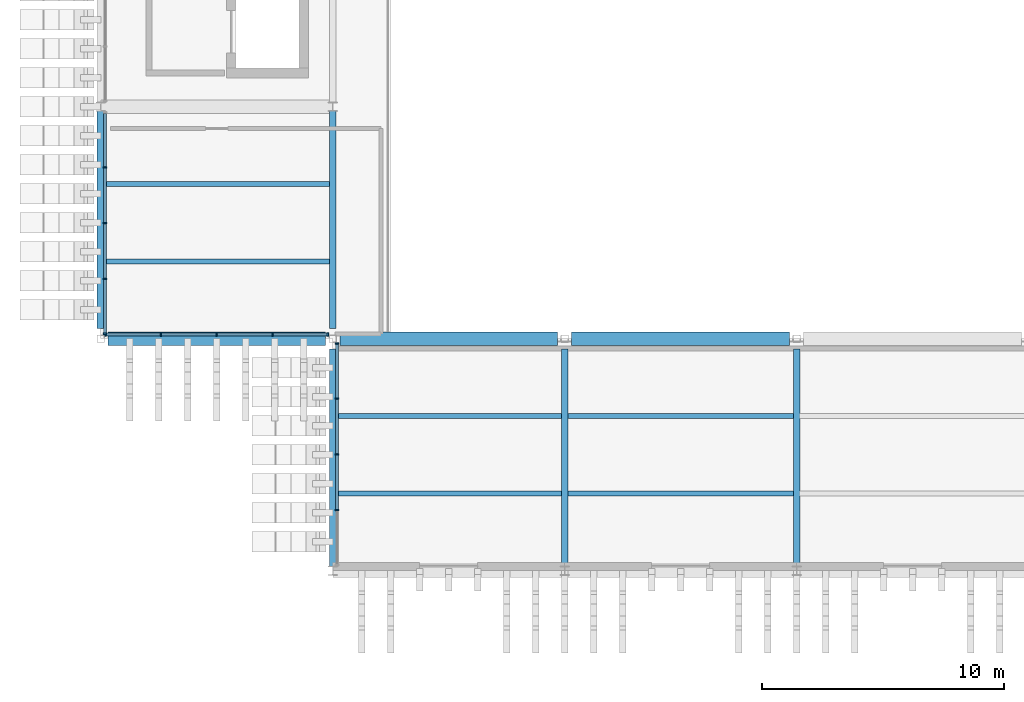
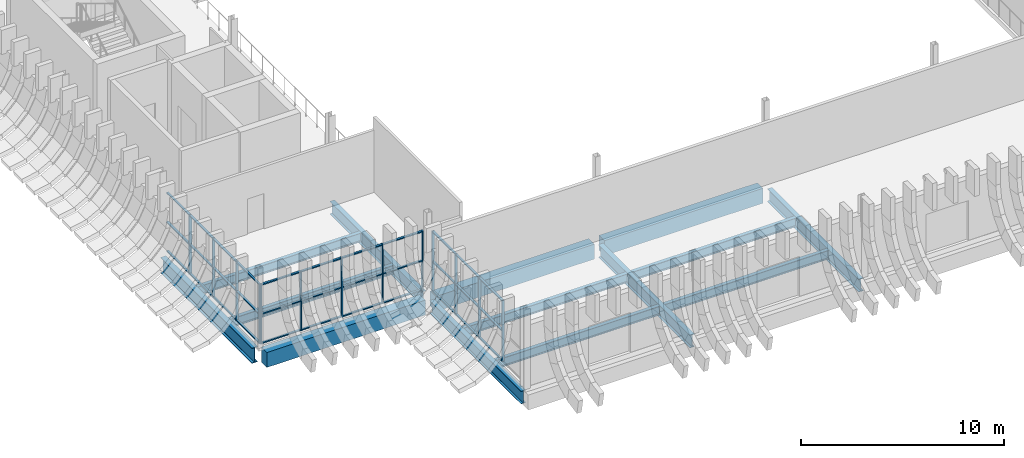
# One storey, part 15 of 100: 46 members, 14 beams, 3 elements without a shape of their own.
"""IFC4 building model written with IfcOpenShell, lengths in metres."""

from ifc_helpers import new_model, si_unit, direction, frame, origin, origin_2d, place, context, subcontext, project, spatial, rectangle, i_section, extrude, material, layer, layer_set, material_profile, profile_set, type_object, element, aggregate, save


model = new_model("IFC4")

# Units and contexts
model_context = context("Model", 3, precision=1e-05, world=origin(), true_north=direction((0.0, 1.0)))
body_context = subcontext(model_context, "Body", "Model", "MODEL_VIEW")
ifc_project = project(units=[si_unit("LENGTHUNIT", "METRE"), si_unit("AREAUNIT", "SQUARE_METRE"), si_unit("VOLUMEUNIT", "CUBIC_METRE"), si_unit("PLANEANGLEUNIT", "RADIAN"), si_unit("MASSUNIT", "GRAM", prefix="KILO")], contexts=[model_context])

# Site, building, storey
site_placement = place(None, origin())
site = spatial("IfcSite", under=ifc_project, at=site_placement, CompositionType="ELEMENT")
building_placement = place(site_placement, origin())
building = spatial("IfcBuilding", under=site, at=building_placement, Name="Caelomonte Colonnade Arena", CompositionType="ELEMENT")
storey_placement = place(building_placement, origin())
storey = spatial("IfcBuildingStorey", under=building, at=storey_placement, Name="L00", CompositionType="ELEMENT", Elevation=0.0)

# Curtain wall, members
ifc_material_1 = material(Name="Bronze anodised aluminium and low-E glazing", Category="aluminium")
ifc_layer_1 = layer(ifc_material_1, 0.179931640625)
ifc_layer_set_1 = layer_set([ifc_layer_1], Name="Bronze anodised aluminium and low-E glazing")
curtain_wall_type_1 = type_object("IfcCurtainWallType", Name="ENV-CW-CW-L00-96-36", PredefinedType="USERDEFINED", material=ifc_layer_set_1)
curtain_wall_1_placement = place(storey_placement, origin())
curtain_wall_1 = element("IfcCurtainWall", 1, at=curtain_wall_1_placement, inside=storey, type_object=curtain_wall_type_1, Name="L00 unitized curtain wall CW-L00-0002-0432", ObjectType="UNITIZED CURTAIN WALL", PredefinedType="USERDEFINED")
ifc_material_2 = material(Name="Bronze anodised aluminium AA6063-T6", Category="aluminium")
ifc_material_profile_1 = material_profile(ifc_material_2, rectangle(XDim=0.06494140625, YDim=0.14990234375, at=origin_2d()), Name="CWM-65X150")
ifc_profile_set_1 = profile_set([ifc_material_profile_1], Name="Bronze anodised aluminium AA6063-T6")
member_type_1 = type_object("IfcMemberType", Name="ENV-CW-MULL2", PredefinedType="MULLION", material=ifc_profile_set_1)
member_1_placement = place(storey_placement, frame((0.179931640625, 45.48974609375, 0.0), z_axis=(0.0, 0.0, 1.0), x_axis=(0.0, -1.0, 0.0)))
member_1 = element("IfcMember", 2, at=member_1_placement, type_object=member_type_1, Name="CW-L00-96-36 mullion 2", PredefinedType="MULLION", context=body_context, shape_type="SweptSolid", body=[
    extrude(rectangle(XDim=0.06494140625, YDim=0.14990234375, at=origin_2d()), origin(), (0.0, 0.0, 1.0), 3.572998046875),
])
member_2_placement = place(storey_placement, frame((0.179931640625, 43.18408203125, 0.0), z_axis=(0.0, 0.0, 1.0), x_axis=(0.0, -1.0, 0.0)))
member_2 = element("IfcMember", 3, at=member_2_placement, type_object=member_type_1, Name="CW-L00-96-36 mullion 3", PredefinedType="MULLION", context=body_context, shape_type="SweptSolid", body=[
    extrude(rectangle(XDim=0.06494140625, YDim=0.14990234375, at=origin_2d()), origin(), (0.0, 0.0, 1.0), 3.572998046875),
])
member_3_placement = place(storey_placement, frame((0.179931640625, 40.878173828125, 0.0), z_axis=(0.0, 0.0, 1.0), x_axis=(0.0, -1.0, 0.0)))
member_3 = element("IfcMember", 4, at=member_3_placement, type_object=member_type_1, Name="CW-L00-96-36 mullion 4", PredefinedType="MULLION", context=body_context, shape_type="SweptSolid", body=[
    extrude(rectangle(XDim=0.06494140625, YDim=0.14990234375, at=origin_2d()), origin(), (0.0, 0.0, 1.0), 3.572998046875),
])
member_4_placement = place(storey_placement, frame((0.179931640625, 38.60498046875, 0.0), z_axis=(0.0, 0.0, 1.0), x_axis=(0.0, -1.0, 0.0)))
member_4 = element("IfcMember", 5, at=member_4_placement, type_object=member_type_1, Name="CW-L00-96-36 mullion 5", PredefinedType="MULLION", context=body_context, shape_type="SweptSolid", body=[
    extrude(rectangle(XDim=0.06494140625, YDim=0.14990234375, at=origin_2d()), origin(), (0.0, 0.0, 1.0), 3.572998046875),
])

curtain_wall_2_placement = place(storey_placement, origin())
curtain_wall_2 = element("IfcCurtainWall", 6, at=curtain_wall_2_placement, inside=storey, type_object=curtain_wall_type_1, Name="L00 unitized curtain wall CW-L00-0048-0386", ObjectType="UNITIZED CURTAIN WALL", PredefinedType="USERDEFINED")
member_5_placement = place(storey_placement, frame((0.204833984375, 38.580078125, 0.0), z_axis=(0.0, 0.0, 1.0), x_axis=(1.0, 0.0, 0.0)))
member_5 = element("IfcMember", 7, at=member_5_placement, type_object=member_type_1, Name="CW-L00-96-36 mullion 1", PredefinedType="MULLION", context=body_context, shape_type="SweptSolid", body=[
    extrude(rectangle(XDim=0.06494140625, YDim=0.14990234375, at=origin_2d()), origin(), (0.0, 0.0, 1.0), 3.572998046875),
])
member_6_placement = place(storey_placement, frame((2.486083984375, 38.580078125, 0.0), z_axis=(0.0, 0.0, 1.0), x_axis=(1.0, 0.0, 0.0)))
member_6 = element("IfcMember", 8, at=member_6_placement, type_object=member_type_1, Name="CW-L00-96-36 mullion 2", PredefinedType="MULLION", context=body_context, shape_type="SweptSolid", body=[
    extrude(rectangle(XDim=0.06494140625, YDim=0.14990234375, at=origin_2d()), origin(), (0.0, 0.0, 1.0), 3.572998046875),
])
member_7_placement = place(storey_placement, frame((4.800048828125, 38.580078125, 0.0), z_axis=(0.0, 0.0, 1.0), x_axis=(1.0, 0.0, 0.0)))
member_7 = element("IfcMember", 9, at=member_7_placement, type_object=member_type_1, Name="CW-L00-96-36 mullion 3", PredefinedType="MULLION", context=body_context, shape_type="SweptSolid", body=[
    extrude(rectangle(XDim=0.06494140625, YDim=0.14990234375, at=origin_2d()), origin(), (0.0, 0.0, 1.0), 3.572998046875),
])
member_8_placement = place(storey_placement, frame((7.11376953125, 38.580078125, 0.0), z_axis=(0.0, 0.0, 1.0), x_axis=(1.0, 0.0, 0.0)))
member_8 = element("IfcMember", 10, at=member_8_placement, type_object=member_type_1, Name="CW-L00-96-36 mullion 4", PredefinedType="MULLION", context=body_context, shape_type="SweptSolid", body=[
    extrude(rectangle(XDim=0.06494140625, YDim=0.14990234375, at=origin_2d()), origin(), (0.0, 0.0, 1.0), 3.572998046875),
])
member_9_placement = place(storey_placement, frame((9.39501953125, 38.580078125, 0.0), z_axis=(0.0, 0.0, 1.0), x_axis=(1.0, 0.0, 0.0)))
member_9 = element("IfcMember", 11, at=member_9_placement, type_object=member_type_1, Name="CW-L00-96-36 mullion 5", PredefinedType="MULLION", context=body_context, shape_type="SweptSolid", body=[
    extrude(rectangle(XDim=0.06494140625, YDim=0.14990234375, at=origin_2d()), origin(), (0.0, 0.0, 1.0), 3.572998046875),
])

ifc_layer_2 = layer(ifc_material_1, 0.179931640625)
ifc_layer_set_2 = layer_set([ifc_layer_2], Name="Bronze anodised aluminium and low-E glazing")
curtain_wall_type_2 = type_object("IfcCurtainWallType", Name="ENV-CW-CW-L00-96-37", PredefinedType="USERDEFINED", material=ifc_layer_set_2)
curtain_wall_3_placement = place(storey_placement, origin())
curtain_wall_3 = element("IfcCurtainWall", 12, at=curtain_wall_3_placement, inside=storey, type_object=curtain_wall_type_2, Name="L00 unitized curtain wall CW-L00-0098-0336", ObjectType="UNITIZED CURTAIN WALL", PredefinedType="USERDEFINED")
member_10_placement = place(storey_placement, frame((9.780029296875, 38.195068359375, 0.0), z_axis=(0.0, 0.0, 1.0), x_axis=(0.0, -1.0, 0.0)))
member_10 = element("IfcMember", 13, at=member_10_placement, type_object=member_type_1, Name="CW-L00-96-37 mullion 1", PredefinedType="MULLION", context=body_context, shape_type="SweptSolid", body=[
    extrude(rectangle(XDim=0.06494140625, YDim=0.14990234375, at=origin_2d()), origin(), (0.0, 0.0, 1.0), 3.664306640625),
])
member_11_placement = place(storey_placement, frame((9.780029296875, 35.921875, 0.0), z_axis=(0.0, 0.0, 1.0), x_axis=(0.0, -1.0, 0.0)))
member_11 = element("IfcMember", 14, at=member_11_placement, type_object=member_type_1, Name="CW-L00-96-37 mullion 2", PredefinedType="MULLION", context=body_context, shape_type="SweptSolid", body=[
    extrude(rectangle(XDim=0.06494140625, YDim=0.14990234375, at=origin_2d()), origin(), (0.0, 0.0, 1.0), 3.664306640625),
])
member_12_placement = place(storey_placement, frame((9.780029296875, 33.615966796875, 0.0), z_axis=(0.0, 0.0, 1.0), x_axis=(0.0, -1.0, 0.0)))
member_12 = element("IfcMember", 15, at=member_12_placement, type_object=member_type_1, Name="CW-L00-96-37 mullion 3", PredefinedType="MULLION", context=body_context, shape_type="SweptSolid", body=[
    extrude(rectangle(XDim=0.06494140625, YDim=0.14990234375, at=origin_2d()), origin(), (0.0, 0.0, 1.0), 3.664306640625),
])
member_13_placement = place(storey_placement, frame((9.780029296875, 31.310302734375, 0.0), z_axis=(0.0, 0.0, 1.0), x_axis=(0.0, -1.0, 0.0)))
member_13 = element("IfcMember", 16, at=member_13_placement, type_object=member_type_1, Name="CW-L00-96-37 mullion 4", PredefinedType="MULLION", context=body_context, shape_type="SweptSolid", body=[
    extrude(rectangle(XDim=0.06494140625, YDim=0.14990234375, at=origin_2d()), origin(), (0.0, 0.0, 1.0), 3.664306640625),
])

# Member
ifc_material_profile_2 = material_profile(ifc_material_2, rectangle(XDim=0.06494140625, YDim=0.1201171875, at=origin_2d()), Name="CWT-65X120")
ifc_profile_set_2 = profile_set([ifc_material_profile_2], Name="Bronze anodised aluminium AA6063-T6")
member_type_2 = type_object("IfcMemberType", Name="ENV-CW-TRAN2", PredefinedType="USERDEFINED", material=ifc_profile_set_2)
member_14_placement = place(storey_placement, frame((0.179931640625, 47.730712890625, 0.032470703125), z_axis=(0.0, -1.0, 0.0), x_axis=(0.0, 0.0, 1.0)))
member_14 = element("IfcMember", 17, at=member_14_placement, type_object=member_type_2, Name="CW-L00-96-36 transom 1.1", ObjectType="TRANSOM", PredefinedType="USERDEFINED", context=body_context, shape_type="SweptSolid", body=[
    extrude(rectangle(XDim=0.06494140625, YDim=0.1201171875, at=origin_2d()), origin(), (0.0, 0.0, 1.0), 2.20849609375),
])

member_15_placement = place(storey_placement, frame((0.179931640625, 47.730712890625, 1.78662109375), z_axis=(0.0, -1.0, 0.0), x_axis=(0.0, 0.0, 1.0)))
member_15 = element("IfcMember", 18, at=member_15_placement, type_object=member_type_2, Name="CW-L00-96-36 transom 1.2", ObjectType="TRANSOM", PredefinedType="USERDEFINED", context=body_context, shape_type="SweptSolid", body=[
    extrude(rectangle(XDim=0.06494140625, YDim=0.1201171875, at=origin_2d()), origin(), (0.0, 0.0, 1.0), 2.20849609375),
])

member_16_placement = place(storey_placement, frame((0.179931640625, 47.730712890625, 3.54052734375), z_axis=(0.0, -1.0, 0.0), x_axis=(0.0, 0.0, 1.0)))
member_16 = element("IfcMember", 19, at=member_16_placement, type_object=member_type_2, Name="CW-L00-96-36 transom 1.3", ObjectType="TRANSOM", PredefinedType="USERDEFINED", context=body_context, shape_type="SweptSolid", body=[
    extrude(rectangle(XDim=0.06494140625, YDim=0.1201171875, at=origin_2d()), origin(), (0.0, 0.0, 1.0), 2.20849609375),
])

member_17_placement = place(storey_placement, frame((0.179931640625, 45.457275390625, 0.032470703125), z_axis=(0.0, -1.0, 0.0), x_axis=(0.0, 0.0, 1.0)))
member_17 = element("IfcMember", 20, at=member_17_placement, type_object=member_type_2, Name="CW-L00-96-36 transom 2.1", ObjectType="TRANSOM", PredefinedType="USERDEFINED", context=body_context, shape_type="SweptSolid", body=[
    extrude(rectangle(XDim=0.06494140625, YDim=0.1201171875, at=origin_2d()), origin(), (0.0, 0.0, 1.0), 2.24072265625),
])

member_18_placement = place(storey_placement, frame((0.179931640625, 45.457275390625, 1.78662109375), z_axis=(0.0, -1.0, 0.0), x_axis=(0.0, 0.0, 1.0)))
member_18 = element("IfcMember", 21, at=member_18_placement, type_object=member_type_2, Name="CW-L00-96-36 transom 2.2", ObjectType="TRANSOM", PredefinedType="USERDEFINED", context=body_context, shape_type="SweptSolid", body=[
    extrude(rectangle(XDim=0.06494140625, YDim=0.1201171875, at=origin_2d()), origin(), (0.0, 0.0, 1.0), 2.24072265625),
])

member_19_placement = place(storey_placement, frame((0.179931640625, 45.457275390625, 3.54052734375), z_axis=(0.0, -1.0, 0.0), x_axis=(0.0, 0.0, 1.0)))
member_19 = element("IfcMember", 22, at=member_19_placement, type_object=member_type_2, Name="CW-L00-96-36 transom 2.3", ObjectType="TRANSOM", PredefinedType="USERDEFINED", context=body_context, shape_type="SweptSolid", body=[
    extrude(rectangle(XDim=0.06494140625, YDim=0.1201171875, at=origin_2d()), origin(), (0.0, 0.0, 1.0), 2.24072265625),
])

member_20_placement = place(storey_placement, frame((0.179931640625, 43.151611328125, 0.032470703125), z_axis=(0.0, -1.0, 0.0), x_axis=(0.0, 0.0, 1.0)))
member_20 = element("IfcMember", 23, at=member_20_placement, type_object=member_type_2, Name="CW-L00-96-36 transom 3.1", ObjectType="TRANSOM", PredefinedType="USERDEFINED", context=body_context, shape_type="SweptSolid", body=[
    extrude(rectangle(XDim=0.06494140625, YDim=0.1201171875, at=origin_2d()), origin(), (0.0, 0.0, 1.0), 2.240966796875),
])

member_21_placement = place(storey_placement, frame((0.179931640625, 43.151611328125, 1.78662109375), z_axis=(0.0, -1.0, 0.0), x_axis=(0.0, 0.0, 1.0)))
member_21 = element("IfcMember", 24, at=member_21_placement, type_object=member_type_2, Name="CW-L00-96-36 transom 3.2", ObjectType="TRANSOM", PredefinedType="USERDEFINED", context=body_context, shape_type="SweptSolid", body=[
    extrude(rectangle(XDim=0.06494140625, YDim=0.1201171875, at=origin_2d()), origin(), (0.0, 0.0, 1.0), 2.240966796875),
])

member_22_placement = place(storey_placement, frame((0.179931640625, 43.151611328125, 3.54052734375), z_axis=(0.0, -1.0, 0.0), x_axis=(0.0, 0.0, 1.0)))
member_22 = element("IfcMember", 25, at=member_22_placement, type_object=member_type_2, Name="CW-L00-96-36 transom 3.3", ObjectType="TRANSOM", PredefinedType="USERDEFINED", context=body_context, shape_type="SweptSolid", body=[
    extrude(rectangle(XDim=0.06494140625, YDim=0.1201171875, at=origin_2d()), origin(), (0.0, 0.0, 1.0), 2.240966796875),
])

member_23_placement = place(storey_placement, frame((0.179931640625, 40.845703125, 0.032470703125), z_axis=(0.0, -1.0, 0.0), x_axis=(0.0, 0.0, 1.0)))
member_23 = element("IfcMember", 26, at=member_23_placement, type_object=member_type_2, Name="CW-L00-96-36 transom 4.1", ObjectType="TRANSOM", PredefinedType="USERDEFINED", context=body_context, shape_type="SweptSolid", body=[
    extrude(rectangle(XDim=0.06494140625, YDim=0.1201171875, at=origin_2d()), origin(), (0.0, 0.0, 1.0), 2.208251953125),
])

member_24_placement = place(storey_placement, frame((0.179931640625, 40.845703125, 1.78662109375), z_axis=(0.0, -1.0, 0.0), x_axis=(0.0, 0.0, 1.0)))
member_24 = element("IfcMember", 27, at=member_24_placement, type_object=member_type_2, Name="CW-L00-96-36 transom 4.2", ObjectType="TRANSOM", PredefinedType="USERDEFINED", context=body_context, shape_type="SweptSolid", body=[
    extrude(rectangle(XDim=0.06494140625, YDim=0.1201171875, at=origin_2d()), origin(), (0.0, 0.0, 1.0), 2.208251953125),
])

member_25_placement = place(storey_placement, frame((0.179931640625, 40.845703125, 3.54052734375), z_axis=(0.0, -1.0, 0.0), x_axis=(0.0, 0.0, 1.0)))
member_25 = element("IfcMember", 28, at=member_25_placement, type_object=member_type_2, Name="CW-L00-96-36 transom 4.3", ObjectType="TRANSOM", PredefinedType="USERDEFINED", context=body_context, shape_type="SweptSolid", body=[
    extrude(rectangle(XDim=0.06494140625, YDim=0.1201171875, at=origin_2d()), origin(), (0.0, 0.0, 1.0), 2.208251953125),
])

aggregate(curtain_wall_1, [member_1, member_2, member_3, member_4, member_14, member_15, member_16, member_17, member_18, member_19, member_20, member_21, member_22, member_23, member_24, member_25])

member_26_placement = place(storey_placement, frame((0.2373046875, 38.580078125, 0.032470703125), z_axis=(1.0, 0.0, 0.0), x_axis=(0.0, 0.0, 1.0)))
member_26 = element("IfcMember", 29, at=member_26_placement, type_object=member_type_2, Name="CW-L00-96-36 transom 1.1", ObjectType="TRANSOM", PredefinedType="USERDEFINED", context=body_context, shape_type="SweptSolid", body=[
    extrude(rectangle(XDim=0.06494140625, YDim=0.1201171875, at=origin_2d()), origin(), (0.0, 0.0, 1.0), 2.21630859375),
])

member_27_placement = place(storey_placement, frame((0.2373046875, 38.580078125, 1.78662109375), z_axis=(1.0, 0.0, 0.0), x_axis=(0.0, 0.0, 1.0)))
member_27 = element("IfcMember", 30, at=member_27_placement, type_object=member_type_2, Name="CW-L00-96-36 transom 1.2", ObjectType="TRANSOM", PredefinedType="USERDEFINED", context=body_context, shape_type="SweptSolid", body=[
    extrude(rectangle(XDim=0.06494140625, YDim=0.1201171875, at=origin_2d()), origin(), (0.0, 0.0, 1.0), 2.21630859375),
])

member_28_placement = place(storey_placement, frame((0.2373046875, 38.580078125, 3.54052734375), z_axis=(1.0, 0.0, 0.0), x_axis=(0.0, 0.0, 1.0)))
member_28 = element("IfcMember", 31, at=member_28_placement, type_object=member_type_2, Name="CW-L00-96-36 transom 1.3", ObjectType="TRANSOM", PredefinedType="USERDEFINED", context=body_context, shape_type="SweptSolid", body=[
    extrude(rectangle(XDim=0.06494140625, YDim=0.1201171875, at=origin_2d()), origin(), (0.0, 0.0, 1.0), 2.21630859375),
])

member_29_placement = place(storey_placement, frame((2.518798828125, 38.580078125, 0.032470703125), z_axis=(1.0, 0.0, 0.0), x_axis=(0.0, 0.0, 1.0)))
member_29 = element("IfcMember", 32, at=member_29_placement, type_object=member_type_2, Name="CW-L00-96-36 transom 2.1", ObjectType="TRANSOM", PredefinedType="USERDEFINED", context=body_context, shape_type="SweptSolid", body=[
    extrude(rectangle(XDim=0.06494140625, YDim=0.1201171875, at=origin_2d()), origin(), (0.0, 0.0, 1.0), 2.248779296875),
])

member_30_placement = place(storey_placement, frame((2.518798828125, 38.580078125, 1.78662109375), z_axis=(1.0, 0.0, 0.0), x_axis=(0.0, 0.0, 1.0)))
member_30 = element("IfcMember", 33, at=member_30_placement, type_object=member_type_2, Name="CW-L00-96-36 transom 2.2", ObjectType="TRANSOM", PredefinedType="USERDEFINED", context=body_context, shape_type="SweptSolid", body=[
    extrude(rectangle(XDim=0.06494140625, YDim=0.1201171875, at=origin_2d()), origin(), (0.0, 0.0, 1.0), 2.248779296875),
])

member_31_placement = place(storey_placement, frame((2.518798828125, 38.580078125, 3.54052734375), z_axis=(1.0, 0.0, 0.0), x_axis=(0.0, 0.0, 1.0)))
member_31 = element("IfcMember", 34, at=member_31_placement, type_object=member_type_2, Name="CW-L00-96-36 transom 2.3", ObjectType="TRANSOM", PredefinedType="USERDEFINED", context=body_context, shape_type="SweptSolid", body=[
    extrude(rectangle(XDim=0.06494140625, YDim=0.1201171875, at=origin_2d()), origin(), (0.0, 0.0, 1.0), 2.248779296875),
])

member_32_placement = place(storey_placement, frame((4.83251953125, 38.580078125, 0.032470703125), z_axis=(1.0, 0.0, 0.0), x_axis=(0.0, 0.0, 1.0)))
member_32 = element("IfcMember", 35, at=member_32_placement, type_object=member_type_2, Name="CW-L00-96-36 transom 3.1", ObjectType="TRANSOM", PredefinedType="USERDEFINED", context=body_context, shape_type="SweptSolid", body=[
    extrude(rectangle(XDim=0.06494140625, YDim=0.1201171875, at=origin_2d()), origin(), (0.0, 0.0, 1.0), 2.248779296875),
])

member_33_placement = place(storey_placement, frame((4.83251953125, 38.580078125, 1.78662109375), z_axis=(1.0, 0.0, 0.0), x_axis=(0.0, 0.0, 1.0)))
member_33 = element("IfcMember", 36, at=member_33_placement, type_object=member_type_2, Name="CW-L00-96-36 transom 3.2", ObjectType="TRANSOM", PredefinedType="USERDEFINED", context=body_context, shape_type="SweptSolid", body=[
    extrude(rectangle(XDim=0.06494140625, YDim=0.1201171875, at=origin_2d()), origin(), (0.0, 0.0, 1.0), 2.248779296875),
])

member_34_placement = place(storey_placement, frame((4.83251953125, 38.580078125, 3.54052734375), z_axis=(1.0, 0.0, 0.0), x_axis=(0.0, 0.0, 1.0)))
member_34 = element("IfcMember", 37, at=member_34_placement, type_object=member_type_2, Name="CW-L00-96-36 transom 3.3", ObjectType="TRANSOM", PredefinedType="USERDEFINED", context=body_context, shape_type="SweptSolid", body=[
    extrude(rectangle(XDim=0.06494140625, YDim=0.1201171875, at=origin_2d()), origin(), (0.0, 0.0, 1.0), 2.248779296875),
])

member_35_placement = place(storey_placement, frame((7.146240234375, 38.580078125, 0.032470703125), z_axis=(1.0, 0.0, 0.0), x_axis=(0.0, 0.0, 1.0)))
member_35 = element("IfcMember", 38, at=member_35_placement, type_object=member_type_2, Name="CW-L00-96-36 transom 4.1", ObjectType="TRANSOM", PredefinedType="USERDEFINED", context=body_context, shape_type="SweptSolid", body=[
    extrude(rectangle(XDim=0.06494140625, YDim=0.1201171875, at=origin_2d()), origin(), (0.0, 0.0, 1.0), 2.21630859375),
])

member_36_placement = place(storey_placement, frame((7.146240234375, 38.580078125, 1.78662109375), z_axis=(1.0, 0.0, 0.0), x_axis=(0.0, 0.0, 1.0)))
member_36 = element("IfcMember", 39, at=member_36_placement, type_object=member_type_2, Name="CW-L00-96-36 transom 4.2", ObjectType="TRANSOM", PredefinedType="USERDEFINED", context=body_context, shape_type="SweptSolid", body=[
    extrude(rectangle(XDim=0.06494140625, YDim=0.1201171875, at=origin_2d()), origin(), (0.0, 0.0, 1.0), 2.21630859375),
])

member_37_placement = place(storey_placement, frame((7.146240234375, 38.580078125, 3.54052734375), z_axis=(1.0, 0.0, 0.0), x_axis=(0.0, 0.0, 1.0)))
member_37 = element("IfcMember", 40, at=member_37_placement, type_object=member_type_2, Name="CW-L00-96-36 transom 4.3", ObjectType="TRANSOM", PredefinedType="USERDEFINED", context=body_context, shape_type="SweptSolid", body=[
    extrude(rectangle(XDim=0.06494140625, YDim=0.1201171875, at=origin_2d()), origin(), (0.0, 0.0, 1.0), 2.21630859375),
])

aggregate(curtain_wall_2, [member_5, member_6, member_7, member_8, member_9, member_26, member_27, member_28, member_29, member_30, member_31, member_32, member_33, member_34, member_35, member_36, member_37])

member_38_placement = place(storey_placement, frame((9.780029296875, 38.16259765625, 0.032470703125), z_axis=(0.0, -1.0, 0.0), x_axis=(0.0, 0.0, 1.0)))
member_38 = element("IfcMember", 41, at=member_38_placement, type_object=member_type_2, Name="CW-L00-96-37 transom 1.1", ObjectType="TRANSOM", PredefinedType="USERDEFINED", context=body_context, shape_type="SweptSolid", body=[
    extrude(rectangle(XDim=0.06494140625, YDim=0.1201171875, at=origin_2d()), origin(), (0.0, 0.0, 1.0), 2.208251953125),
])

member_39_placement = place(storey_placement, frame((9.780029296875, 38.16259765625, 1.832275390625), z_axis=(0.0, -1.0, 0.0), x_axis=(0.0, 0.0, 1.0)))
member_39 = element("IfcMember", 42, at=member_39_placement, type_object=member_type_2, Name="CW-L00-96-37 transom 1.2", ObjectType="TRANSOM", PredefinedType="USERDEFINED", context=body_context, shape_type="SweptSolid", body=[
    extrude(rectangle(XDim=0.06494140625, YDim=0.1201171875, at=origin_2d()), origin(), (0.0, 0.0, 1.0), 2.208251953125),
])

member_40_placement = place(storey_placement, frame((9.780029296875, 38.16259765625, 3.6318359375), z_axis=(0.0, -1.0, 0.0), x_axis=(0.0, 0.0, 1.0)))
member_40 = element("IfcMember", 43, at=member_40_placement, type_object=member_type_2, Name="CW-L00-96-37 transom 1.3", ObjectType="TRANSOM", PredefinedType="USERDEFINED", context=body_context, shape_type="SweptSolid", body=[
    extrude(rectangle(XDim=0.06494140625, YDim=0.1201171875, at=origin_2d()), origin(), (0.0, 0.0, 1.0), 2.208251953125),
])

member_41_placement = place(storey_placement, frame((9.780029296875, 35.889404296875, 0.032470703125), z_axis=(0.0, -1.0, 0.0), x_axis=(0.0, 0.0, 1.0)))
member_41 = element("IfcMember", 44, at=member_41_placement, type_object=member_type_2, Name="CW-L00-96-37 transom 2.1", ObjectType="TRANSOM", PredefinedType="USERDEFINED", context=body_context, shape_type="SweptSolid", body=[
    extrude(rectangle(XDim=0.06494140625, YDim=0.1201171875, at=origin_2d()), origin(), (0.0, 0.0, 1.0), 2.240966796875),
])

member_42_placement = place(storey_placement, frame((9.780029296875, 35.889404296875, 1.832275390625), z_axis=(0.0, -1.0, 0.0), x_axis=(0.0, 0.0, 1.0)))
member_42 = element("IfcMember", 45, at=member_42_placement, type_object=member_type_2, Name="CW-L00-96-37 transom 2.2", ObjectType="TRANSOM", PredefinedType="USERDEFINED", context=body_context, shape_type="SweptSolid", body=[
    extrude(rectangle(XDim=0.06494140625, YDim=0.1201171875, at=origin_2d()), origin(), (0.0, 0.0, 1.0), 2.240966796875),
])

member_43_placement = place(storey_placement, frame((9.780029296875, 35.889404296875, 3.6318359375), z_axis=(0.0, -1.0, 0.0), x_axis=(0.0, 0.0, 1.0)))
member_43 = element("IfcMember", 46, at=member_43_placement, type_object=member_type_2, Name="CW-L00-96-37 transom 2.3", ObjectType="TRANSOM", PredefinedType="USERDEFINED", context=body_context, shape_type="SweptSolid", body=[
    extrude(rectangle(XDim=0.06494140625, YDim=0.1201171875, at=origin_2d()), origin(), (0.0, 0.0, 1.0), 2.240966796875),
])

member_44_placement = place(storey_placement, frame((9.780029296875, 33.58349609375, 0.032470703125), z_axis=(0.0, -1.0, 0.0), x_axis=(0.0, 0.0, 1.0)))
member_44 = element("IfcMember", 47, at=member_44_placement, type_object=member_type_2, Name="CW-L00-96-37 transom 3.1", ObjectType="TRANSOM", PredefinedType="USERDEFINED", context=body_context, shape_type="SweptSolid", body=[
    extrude(rectangle(XDim=0.06494140625, YDim=0.1201171875, at=origin_2d()), origin(), (0.0, 0.0, 1.0), 2.24072265625),
])

member_45_placement = place(storey_placement, frame((9.780029296875, 33.58349609375, 1.832275390625), z_axis=(0.0, -1.0, 0.0), x_axis=(0.0, 0.0, 1.0)))
member_45 = element("IfcMember", 48, at=member_45_placement, type_object=member_type_2, Name="CW-L00-96-37 transom 3.2", ObjectType="TRANSOM", PredefinedType="USERDEFINED", context=body_context, shape_type="SweptSolid", body=[
    extrude(rectangle(XDim=0.06494140625, YDim=0.1201171875, at=origin_2d()), origin(), (0.0, 0.0, 1.0), 2.24072265625),
])

member_46_placement = place(storey_placement, frame((9.780029296875, 33.58349609375, 3.6318359375), z_axis=(0.0, -1.0, 0.0), x_axis=(0.0, 0.0, 1.0)))
member_46 = element("IfcMember", 49, at=member_46_placement, type_object=member_type_2, Name="CW-L00-96-37 transom 3.3", ObjectType="TRANSOM", PredefinedType="USERDEFINED", context=body_context, shape_type="SweptSolid", body=[
    extrude(rectangle(XDim=0.06494140625, YDim=0.1201171875, at=origin_2d()), origin(), (0.0, 0.0, 1.0), 2.24072265625),
])

aggregate(curtain_wall_3, [member_10, member_11, member_12, member_13, member_38, member_39, member_40, member_41, member_42, member_43, member_44, member_45, member_46])

# Beams
ifc_material_3 = material(Name="Wide-flange steel ASTM A992 Grade 50", Category="steel")
ifc_material_profile_3 = material_profile(ifc_material_3, i_section(OverallWidth=0.307861328125, OverallDepth=0.927001953125, WebThickness=0.019287109375, FlangeThickness=0.031982421875, FilletRadius=0.020263671875, at=origin_2d()), Name="W36X194")
ifc_profile_set_3 = profile_set([ifc_material_profile_3], Name="Wide-flange steel ASTM A992 Grade 50")
beam_type_1 = type_object("IfcBeamType", Name="STR-BM-EAVES2", PredefinedType="SPANDREL", material=ifc_profile_set_3)
beam_1_placement = place(storey_placement, frame((0.0, 38.81689453125, -0.763427734375), z_axis=(0.0, 1.0, 0.0), x_axis=(-1.0, 0.0, 0.0)))
element("IfcBeam", 50, at=beam_1_placement, inside=storey, type_object=beam_type_1, Name="L00 girder BMY-L00-0000-0384", PredefinedType="SPANDREL", context=body_context, shape_type="SweptSolid", body=[
    extrude(i_section(OverallWidth=0.307861328125, OverallDepth=0.927001953125, WebThickness=0.019287109375, FlangeThickness=0.031982421875, FilletRadius=0.020263671875, at=origin_2d()), origin(), (0.0, 0.0, 1.0), 9.0048828125),
])
ifc_material_profile_4 = material_profile(ifc_material_3, i_section(OverallWidth=0.2666015625, OverallDepth=0.761962890625, WebThickness=0.014404296875, FlangeThickness=0.021484375, FilletRadius=0.0166015625, at=origin_2d()), Name="W30X116")
ifc_profile_set_4 = profile_set([ifc_material_profile_4], Name="Wide-flange steel ASTM A992 Grade 50")
beam_type_2 = type_object("IfcBeamType", Name="STR-BM-GIRD30", PredefinedType="BEAM", material=ifc_profile_set_4)
beam_2_placement = place(storey_placement, frame((9.60009765625, 28.978271484375, -0.680908203125), z_axis=(0.0, 1.0, 0.0), x_axis=(-1.0, 0.0, 0.0)))
element("IfcBeam", 51, at=beam_2_placement, inside=storey, type_object=beam_type_2, Name="L00 girder BMY-L00-0096-0288", PredefinedType="BEAM", context=body_context, shape_type="SweptSolid", body=[
    extrude(i_section(OverallWidth=0.2666015625, OverallDepth=0.761962890625, WebThickness=0.014404296875, FlangeThickness=0.021484375, FilletRadius=0.0166015625, at=origin_2d()), origin(), (0.0, 0.0, 1.0), 9.004638671875),
])
beam_3_placement = place(storey_placement, frame((9.60009765625, 38.81689453125, -0.680908203125), z_axis=(0.0, 1.0, 0.0), x_axis=(-1.0, 0.0, 0.0)))
element("IfcBeam", 52, at=beam_3_placement, inside=storey, type_object=beam_type_2, Name="L00 girder BMY-L00-0096-0384", PredefinedType="BEAM", context=body_context, shape_type="SweptSolid", body=[
    extrude(i_section(OverallWidth=0.2666015625, OverallDepth=0.761962890625, WebThickness=0.014404296875, FlangeThickness=0.021484375, FilletRadius=0.0166015625, at=origin_2d()), origin(), (0.0, 0.0, 1.0), 9.0048828125),
])
for number, where, z_axis, x_axis, name in (
    (53, (19.199951171875, 28.978271484375, -0.680908203125), (0.0, 1.0, 0.0), (-1.0, 0.0, 0.0), "L00 girder BMY-L00-0192-0288"),
    (54, (28.800048828125, 28.978271484375, -0.680908203125), (0.0, 1.0, 0.0), (-1.0, 0.0, 0.0), "L00 girder BMY-L00-0288-0288"),
):
    element("IfcBeam", number, at=place(storey_placement, frame(where, z_axis=z_axis, x_axis=x_axis)), inside=storey, type_object=beam_type_2, Name=name, PredefinedType="BEAM", context=body_context, shape_type="SweptSolid", body=[
        extrude(i_section(OverallWidth=0.2666015625, OverallDepth=0.761962890625, WebThickness=0.014404296875, FlangeThickness=0.021484375, FilletRadius=0.0166015625, at=origin_2d()), origin(), (0.0, 0.0, 1.0), 9.004638671875),
    ])
ifc_material_profile_5 = material_profile(ifc_material_3, i_section(OverallWidth=0.209228515625, OverallDepth=0.533447265625, WebThickness=0.01025390625, FlangeThickness=0.015625, FilletRadius=0.0126953125, at=origin_2d()), Name="W21X62")
ifc_profile_set_5 = profile_set([ifc_material_profile_5], Name="Wide-flange steel ASTM A992 Grade 50")
beam_type_3 = type_object("IfcBeamType", Name="STR-BM-JOIST21", PredefinedType="JOIST", material=ifc_profile_set_5)
for number, where, z_axis, x_axis, name in (
    (55, (0.14892578125, 41.60009765625, -0.566650390625), (1.0, 0.0, 0.0), (0.0, 1.0, 0.0), "L00 secondary joist 1"),
    (56, (0.14892578125, 44.800048828125, -0.566650390625), (1.0, 0.0, 0.0), (0.0, 1.0, 0.0), "L00 secondary joist 2"),
):
    element("IfcBeam", number, at=place(storey_placement, frame(where, z_axis=z_axis, x_axis=x_axis)), inside=storey, type_object=beam_type_3, Name=name, PredefinedType="JOIST", context=body_context, shape_type="SweptSolid", body=[
        extrude(i_section(OverallWidth=0.209228515625, OverallDepth=0.533447265625, WebThickness=0.01025390625, FlangeThickness=0.015625, FilletRadius=0.0126953125, at=origin_2d()), origin(), (0.0, 0.0, 1.0), 9.32275390625),
    ])
for number, where, z_axis, x_axis, name in (
    (57, (9.728271484375, 32.0, -0.566650390625), (1.0, 0.0, 0.0), (0.0, 1.0, 0.0), "L00 secondary joist 1"),
    (58, (9.728271484375, 35.199951171875, -0.566650390625), (1.0, 0.0, 0.0), (0.0, 1.0, 0.0), "L00 secondary joist 2"),
    (59, (19.328369140625, 32.0, -0.566650390625), (1.0, 0.0, 0.0), (0.0, 1.0, 0.0), "L00 secondary joist 1"),
    (60, (19.328369140625, 35.199951171875, -0.566650390625), (1.0, 0.0, 0.0), (0.0, 1.0, 0.0), "L00 secondary joist 2"),
):
    element("IfcBeam", number, at=place(storey_placement, frame(where, z_axis=z_axis, x_axis=x_axis)), inside=storey, type_object=beam_type_3, Name=name, PredefinedType="JOIST", context=body_context, shape_type="SweptSolid", body=[
        extrude(i_section(OverallWidth=0.209228515625, OverallDepth=0.533447265625, WebThickness=0.01025390625, FlangeThickness=0.015625, FilletRadius=0.0126953125, at=origin_2d()), origin(), (0.0, 0.0, 1.0), 9.34326171875),
    ])
ifc_material_4 = material(Name="Concrete C40/50", Category="concrete")
ifc_material_profile_6 = material_profile(ifc_material_4, rectangle(XDim=0.550048828125, YDim=0.89990234375, at=origin_2d()), Name="RC550X900")
ifc_profile_set_6 = profile_set([ifc_material_profile_6], Name="Concrete C40/50")
beam_type_4 = type_object("IfcBeamType", Name="STR-BM-RC55", PredefinedType="BEAM", material=ifc_profile_set_6)
beam_4_placement = place(storey_placement, frame((0.2919921875, 38.39990234375, -0.75), z_axis=(1.0, 0.0, 0.0), x_axis=(0.0, 1.0, 0.0)))
element("IfcBeam", 61, at=beam_4_placement, inside=storey, type_object=beam_type_4, Name="L00 girder BMX-L00-0000-0384", PredefinedType="BEAM", context=body_context, shape_type="SweptSolid", body=[
    extrude(rectangle(XDim=0.550048828125, YDim=0.89990234375, at=origin_2d()), origin(), (0.0, 0.0, 1.0), 9.01611328125),
])
beam_5_placement = place(storey_placement, frame((9.89208984375, 38.39990234375, -0.75), z_axis=(1.0, 0.0, 0.0), x_axis=(0.0, 1.0, 0.0)))
element("IfcBeam", 62, at=beam_5_placement, inside=storey, type_object=beam_type_4, Name="L00 girder BMX-L00-0096-0384", PredefinedType="BEAM", context=body_context, shape_type="SweptSolid", body=[
    extrude(rectangle(XDim=0.550048828125, YDim=0.89990234375, at=origin_2d()), origin(), (0.0, 0.0, 1.0), 9.015869140625),
])
beam_6_placement = place(storey_placement, frame((19.491943359375, 38.39990234375, -0.75), z_axis=(1.0, 0.0, 0.0), x_axis=(0.0, 1.0, 0.0)))
element("IfcBeam", 63, at=beam_6_placement, inside=storey, type_object=beam_type_4, Name="L00 girder BMX-L00-0192-0384", PredefinedType="BEAM", context=body_context, shape_type="SweptSolid", body=[
    extrude(rectangle(XDim=0.550048828125, YDim=0.89990234375, at=origin_2d()), origin(), (0.0, 0.0, 1.0), 9.01611328125),
])

save(model, "model.ifc")
